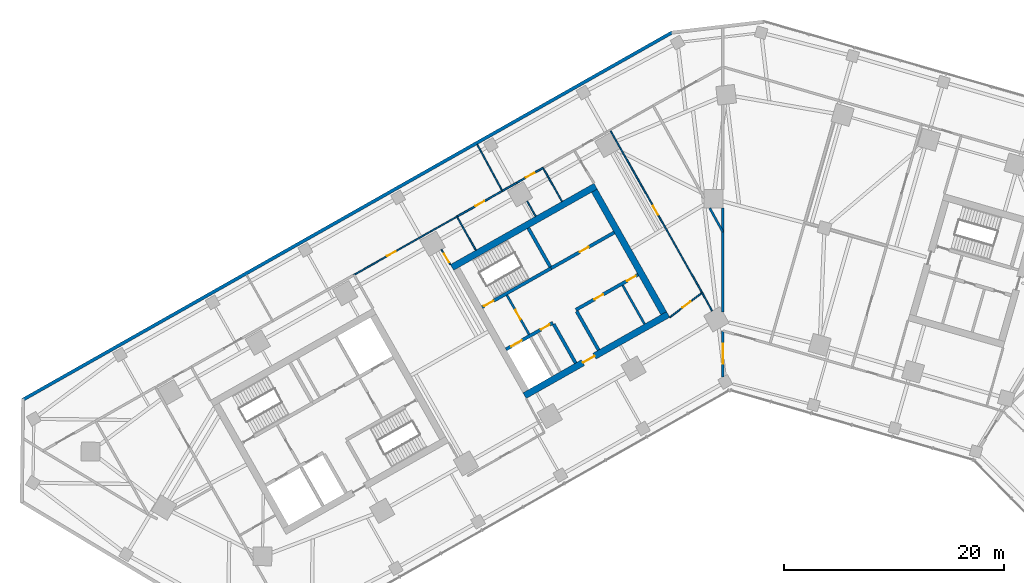
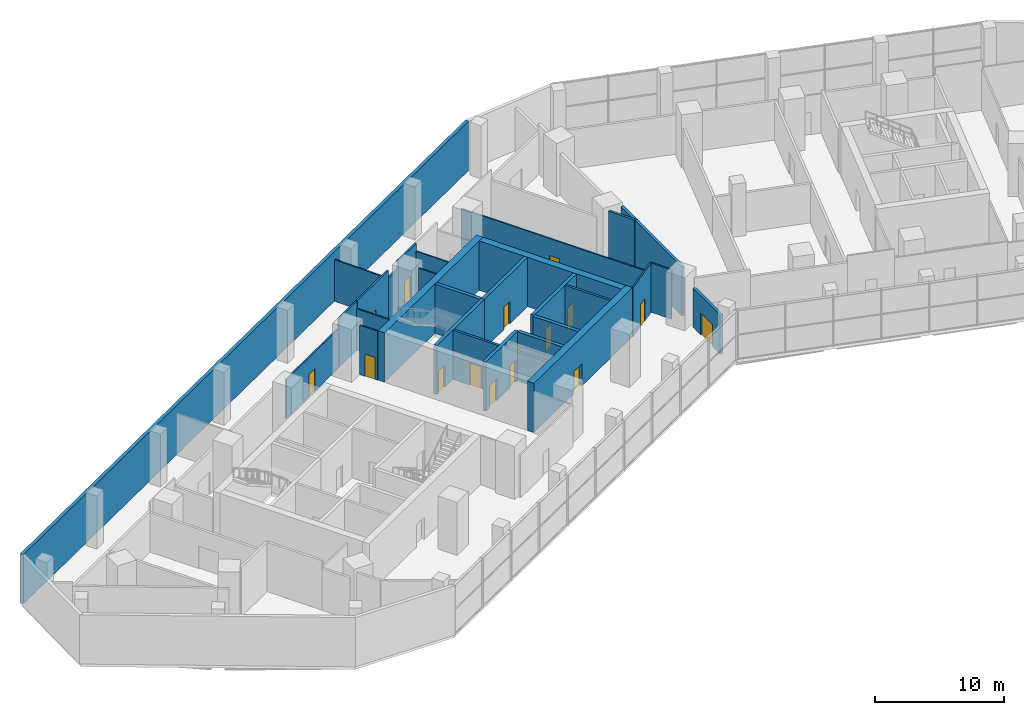
# One storey, part 12 of 18: 30 walls, 15 doors, 15 openings.
"""IFC4 building model written with IfcOpenShell, lengths in metres."""

from ifc_helpers import new_model, si_unit, direction, frame, frame_2d, origin, place, context, subcontext, project, spatial, rectangle, extrude, material, layer, layer_set, type_object, element, fill, save


model = new_model("IFC4")

# Units and contexts
model_context = context("Model", 3, precision=1e-05, world=origin(), true_north=direction((0.0, 1.0)))
body_context = subcontext(model_context, "Body", "Model", "MODEL_VIEW")
ifc_project = project(units=[si_unit("LENGTHUNIT", "METRE"), si_unit("AREAUNIT", "SQUARE_METRE"), si_unit("VOLUMEUNIT", "CUBIC_METRE"), si_unit("PLANEANGLEUNIT", "RADIAN"), si_unit("MASSUNIT", "GRAM", prefix="KILO")], contexts=[model_context])

# Site, building, storey
site_placement = place(None, origin())
site = spatial("IfcSite", under=ifc_project, at=site_placement, CompositionType="ELEMENT")
building_placement = place(site_placement, origin())
building = spatial("IfcBuilding", under=site, at=building_placement, Name="Binnacle Exchange Tower", CompositionType="ELEMENT")
storey_placement = place(building_placement, frame((0.0, 0.0, 6.5)))
storey = spatial("IfcBuildingStorey", under=building, at=storey_placement, Name="L01", CompositionType="ELEMENT", Elevation=6.5)

# Wall
ifc_material_1 = material(Name="Gypsum partition fire rated")
ifc_layer_1 = layer(ifc_material_1, 0.199951171875)
ifc_layer_set_1 = layer_set([ifc_layer_1], Name="Core partition 200")
wall_type_1 = type_object("IfcWallType", Name="Core partition 200", PredefinedType="PARTITIONING", material=ifc_layer_set_1)
wall_1_placement = place(storey_placement, frame((-9.11279296875, 52.14404296875, 0.0), z_axis=(0.0, 0.0, 1.0), x_axis=(0.492394910396, -0.870371904542, 0.0)))
element("IfcWall", 1, at=wall_1_placement, inside=storey, type_object=wall_type_1, Name="Core wall CRWC22", PredefinedType="PARTITIONING", context=body_context, shape_type="SweptSolid", body=[
    extrude(rectangle(XDim=4.0498046875, YDim=0.199951171875, at=frame_2d((2.02490234375, 0.0))), origin(), (0.0, 0.0, 1.0), 4.64990234375),
])

# Wall, openings, doors
ifc_material_2 = material(Name="Concrete C70/85", Category="concrete")
ifc_layer_2 = layer(ifc_material_2, 0.300048828125)
ifc_layer_set_2 = layer_set([ifc_layer_2], Name="Core wall - front 300")
wall_type_2 = type_object("IfcWallType", Name="Core wall - front 300", PredefinedType="SOLIDWALL", material=ifc_layer_set_2)
wall_2_placement = place(storey_placement, frame((-19.718017578125, 46.31640625, 0.0), z_axis=(0.0, 0.0, 1.0), x_axis=(0.870353963862, 0.492426621528, 0.0)))
wall_2 = element("IfcWall", 2, at=wall_2_placement, inside=storey, type_object=wall_type_2, Name="Core wall CRWC2", PredefinedType="SOLIDWALL", context=body_context, shape_type="SweptSolid", body=[
    extrude(rectangle(XDim=4.89990234375, YDim=0.300048828125, at=frame_2d((2.449951171875, 0.0))), origin(), (0.0, 0.0, 1.0), 4.64990234375),
])
opening_1_placement = place(wall_2_placement, frame((0.550048828125, 0.0, 0.0)))
opening_1 = element("IfcOpeningElement", 3, at=opening_1_placement, cuts=wall_2, Name="Opening LD14", PredefinedType="OPENING", context=body_context, shape_type="SweptSolid", body=[
    extrude(rectangle(XDim=1.10009765625, YDim=2.10009765625, at=frame_2d((0.550048828125, 1.050048828125))), frame((0.0, 0.159912109375, 0.0), z_axis=(0.0, -1.0, 0.0), x_axis=(1.0, 0.0, 0.0)), (0.0, 0.0, 1.0), 0.320068359375),
])
opening_2_placement = place(wall_2_placement, frame((3.64990234375, 0.0, 0.0)))
opening_2 = element("IfcOpeningElement", 4, at=opening_2_placement, cuts=wall_2, Name="Opening DC14", PredefinedType="OPENING", context=body_context, shape_type="SweptSolid", body=[
    extrude(rectangle(XDim=0.89990234375, YDim=2.10009765625, at=frame_2d((0.449951171875, 1.050048828125))), frame((0.0, 0.159912109375, 0.0), z_axis=(0.0, -1.0, 0.0), x_axis=(1.0, 0.0, 0.0)), (0.0, 0.0, 1.0), 0.320068359375),
])
ifc_material_3 = material(Name="Steel door leaf", Category="steel")
door_type_1 = type_object("IfcDoorType", Name="Fire door - lift landing 1100", OperationType="NOTDEFINED", PredefinedType="DOOR", material=ifc_material_3)
door_1_placement = place(opening_1_placement, origin())
door_1 = element("IfcDoor", 5, at=door_1_placement, inside=storey, type_object=door_type_1, Name="Landing door LD14 L01", OperationType="DOUBLE_DOOR_SLIDING", OverallHeight=2.10009765625, OverallWidth=1.10009765625, PredefinedType="DOOR", context=body_context, shape_type="SweptSolid", body=[
    extrude(rectangle(XDim=1.10009765625, YDim=2.10009765625, at=frame_2d((0.550048828125, 1.050048828125))), frame((0.0, 0.02490234375, 0.0), z_axis=(0.0, -1.0, 0.0), x_axis=(1.0, 0.0, 0.0)), (0.0, 0.0, 1.0), 0.050048828125),
])
fill(opening_1, door_1)
door_type_2 = type_object("IfcDoorType", Name="Fire door 900", OperationType="NOTDEFINED", PredefinedType="DOOR", material=ifc_material_3)
door_2_placement = place(opening_2_placement, frame((0.89990234375, 0.0, 0.0), z_axis=(0.0, 0.0, 1.0), x_axis=(-1.0, 0.0, 0.0)))
door_2 = element("IfcDoor", 6, at=door_2_placement, inside=storey, type_object=door_type_2, Name="Core room door IT STORE", OperationType="SINGLE_SWING_LEFT", OverallHeight=2.10009765625, OverallWidth=0.89990234375, PredefinedType="DOOR", context=body_context, shape_type="SweptSolid", body=[
    extrude(rectangle(XDim=0.89990234375, YDim=2.10009765625, at=frame_2d((0.449951171875, 1.050048828125))), frame((0.0, 0.02490234375, 0.0), z_axis=(0.0, -1.0, 0.0), x_axis=(1.0, 0.0, 0.0)), (0.0, 0.0, 1.0), 0.050048828125),
])
fill(opening_2, door_2)

wall_3_placement = place(storey_placement, frame((-13.364501953125, 49.910888671875, 0.0), z_axis=(0.0, 0.0, 1.0), x_axis=(0.870340995471, 0.49244954219, 0.0)))
wall_3 = element("IfcWall", 7, at=wall_3_placement, inside=storey, type_object=wall_type_2, Name="Core wall CRWC3", PredefinedType="SOLIDWALL", context=body_context, shape_type="SweptSolid", body=[
    extrude(rectangle(XDim=6.5, YDim=0.300048828125, at=frame_2d((3.25, 0.0))), origin(), (0.0, 0.0, 1.0), 4.64990234375),
])
opening_3_placement = place(wall_3_placement, frame((1.949951171875, 0.0, 0.0)))
opening_3 = element("IfcOpeningElement", 8, at=opening_3_placement, cuts=wall_3, Name="Opening DC18", PredefinedType="OPENING", context=body_context, shape_type="SweptSolid", body=[
    extrude(rectangle(XDim=0.89990234375, YDim=2.10009765625, at=frame_2d((0.449951171875, 1.050048828125))), frame((0.0, 0.159912109375, 0.0), z_axis=(0.0, -1.0, 0.0), x_axis=(1.0, 0.0, 0.0)), (0.0, 0.0, 1.0), 0.320068359375),
])
opening_4_placement = place(wall_3_placement, frame((5.35009765625, 0.0, 0.0)))
opening_4 = element("IfcOpeningElement", 9, at=opening_4_placement, cuts=wall_3, Name="Opening DC19", PredefinedType="OPENING", context=body_context, shape_type="SweptSolid", body=[
    extrude(rectangle(XDim=0.89990234375, YDim=2.10009765625, at=frame_2d((0.449951171875, 1.050048828125))), frame((0.0, 0.159912109375, 0.0), z_axis=(0.0, -1.0, 0.0), x_axis=(1.0, 0.0, 0.0)), (0.0, 0.0, 1.0), 0.320068359375),
])
door_3_placement = place(opening_3_placement, frame((0.89990234375, 0.0, 0.0), z_axis=(0.0, 0.0, 1.0), x_axis=(-1.0, 0.0, 0.0)))
door_3 = element("IfcDoor", 10, at=door_3_placement, inside=storey, type_object=door_type_2, Name="Core room door TELECOM RISER ROOM", OperationType="SINGLE_SWING_RIGHT", OverallHeight=2.10009765625, OverallWidth=0.89990234375, PredefinedType="DOOR", context=body_context, shape_type="SweptSolid", body=[
    extrude(rectangle(XDim=0.89990234375, YDim=2.10009765625, at=frame_2d((0.449951171875, 1.050048828125))), frame((0.0, 0.02490234375, 0.0), z_axis=(0.0, -1.0, 0.0), x_axis=(1.0, 0.0, 0.0)), (0.0, 0.0, 1.0), 0.050048828125),
])
fill(opening_3, door_3)
door_4_placement = place(opening_4_placement, frame((0.89990234375, 0.0, 0.0), z_axis=(0.0, 0.0, 1.0), x_axis=(-1.0, 0.0, 0.0)))
door_4 = element("IfcDoor", 11, at=door_4_placement, inside=storey, type_object=door_type_2, Name="Core room door FIBRE ENTRY ROOM", OperationType="SINGLE_SWING_LEFT", OverallHeight=2.10009765625, OverallWidth=0.89990234375, PredefinedType="DOOR", context=body_context, shape_type="SweptSolid", body=[
    extrude(rectangle(XDim=0.89990234375, YDim=2.10009765625, at=frame_2d((0.449951171875, 1.050048828125))), frame((0.0, 0.02490234375, 0.0), z_axis=(0.0, -1.0, 0.0), x_axis=(1.0, 0.0, 0.0)), (0.0, 0.0, 1.0), 0.050048828125),
])
fill(opening_4, door_4)

# Wall, opening, door
wall_4_placement = place(storey_placement, frame((-15.6181640625, 53.69140625, 0.0), z_axis=(0.0, 0.0, 1.0), x_axis=(0.870356769198, 0.492421663121, 0.0)))
wall_4 = element("IfcWall", 12, at=wall_4_placement, inside=storey, type_object=wall_type_2, Name="Core wall CRWC5", PredefinedType="SOLIDWALL", context=body_context, shape_type="SweptSolid", body=[
    extrude(rectangle(XDim=6.60009765625, YDim=0.300048828125, at=frame_2d((3.300048828125, 0.0))), origin(), (0.0, 0.0, 1.0), 4.64990234375),
])
opening_5_placement = place(wall_4_placement, frame((3.0, 0.0, 0.0)))
opening_5 = element("IfcOpeningElement", 13, at=opening_5_placement, cuts=wall_4, Name="Opening DC10", PredefinedType="OPENING", context=body_context, shape_type="SweptSolid", body=[
    extrude(rectangle(XDim=0.89990234375, YDim=2.10009765625, at=frame_2d((0.449951171875, 1.050048828125))), frame((0.0, 0.159912109375, 0.0), z_axis=(0.0, -1.0, 0.0), x_axis=(1.0, 0.0, 0.0)), (0.0, 0.0, 1.0), 0.320068359375),
])
door_5_placement = place(opening_5_placement, origin())
door_5 = element("IfcDoor", 14, at=door_5_placement, inside=storey, type_object=door_type_2, Name="Core room door SPARES STORE", OperationType="SINGLE_SWING_RIGHT", OverallHeight=2.10009765625, OverallWidth=0.89990234375, PredefinedType="DOOR", context=body_context, shape_type="SweptSolid", body=[
    extrude(rectangle(XDim=0.89990234375, YDim=2.10009765625, at=frame_2d((0.449951171875, 1.050048828125))), frame((0.0, 0.02490234375, 0.0), z_axis=(0.0, -1.0, 0.0), x_axis=(1.0, 0.0, 0.0)), (0.0, 0.0, 1.0), 0.050048828125),
])
fill(opening_5, door_5)

# Walls
for number, where, z_axis, x_axis, name in (
    (15, (-15.37939453125, 48.5986328125, 0.0), (0.0, 0.0, 1.0), (0.492394910396, -0.870371904542, 0.0), "Core wall CRWC13"),
    (16, (-13.29052734375, 49.780517578125, 0.0), (0.0, 0.0, 1.0), (0.492394910396, -0.870371904542, 0.0), "Core wall CRWC15"),
):
    element("IfcWall", number, at=place(storey_placement, frame(where, z_axis=z_axis, x_axis=x_axis)), inside=storey, type_object=wall_type_2, Name=name, PredefinedType="SOLIDWALL", context=body_context, shape_type="SweptSolid", body=[
        extrude(rectangle(XDim=4.0498046875, YDim=0.300048828125, at=frame_2d((2.02490234375, 0.0))), origin(), (0.0, 0.0, 1.0), 4.64990234375),
    ])

# Wall, opening, door
ifc_layer_3 = layer(ifc_material_2, 0.60009765625)
ifc_layer_set_3 = layer_set([ifc_layer_3], Name="Core wall - outer 600")
wall_type_3 = type_object("IfcWallType", Name="Core wall - outer 600", PredefinedType="SOLIDWALL", material=ifc_layer_set_3)
wall_5_placement = place(storey_placement, frame((-18.0244140625, 42.104248046875, 0.0), z_axis=(0.0, 0.0, 1.0), x_axis=(0.870360574057, 0.492414937962, 0.0)))
wall_5 = element("IfcWall", 17, at=wall_5_placement, inside=storey, type_object=wall_type_3, Name="Core wall CRWC1", PredefinedType="SOLIDWALL", context=body_context, shape_type="SweptSolid", body=[
    extrude(rectangle(XDim=15.0, YDim=0.60009765625, at=frame_2d((7.5, 0.0))), origin(), (0.0, 0.0, 1.0), 4.64990234375),
])
opening_6_placement = place(wall_5_placement, frame((6.10009765625, 0.0, 0.0)))
opening_6 = element("IfcOpeningElement", 18, at=opening_6_placement, cuts=wall_5, Name="Opening DC7", PredefinedType="OPENING", context=body_context, shape_type="SweptSolid", body=[
    extrude(rectangle(XDim=1.199951171875, YDim=2.10009765625, at=frame_2d((0.60009765625, 1.050048828125))), frame((0.0, 0.31005859375, 0.0), z_axis=(0.0, -1.0, 0.0), x_axis=(1.0, 0.0, 0.0)), (0.0, 0.0, 1.0), 0.6201171875),
])
door_type_3 = type_object("IfcDoorType", Name="Fire door 1200", OperationType="NOTDEFINED", PredefinedType="DOOR", material=ifc_material_3)
door_6_placement = place(opening_6_placement, frame((1.199951171875, 0.0, 0.0), z_axis=(0.0, 0.0, 1.0), x_axis=(-1.0, 0.0, 0.0)))
door_6 = element("IfcDoor", 19, at=door_6_placement, inside=storey, type_object=door_type_3, Name="Lift lobby entrance door core C", OperationType="SINGLE_SWING_RIGHT", OverallHeight=2.10009765625, OverallWidth=1.199951171875, PredefinedType="DOOR", context=body_context, shape_type="SweptSolid", body=[
    extrude(rectangle(XDim=1.199951171875, YDim=2.10009765625, at=frame_2d((0.60009765625, 1.050048828125))), frame((0.0, 0.02490234375, 0.0), z_axis=(0.0, -1.0, 0.0), x_axis=(1.0, 0.0, 0.0)), (0.0, 0.0, 1.0), 0.050048828125),
])
fill(opening_6, door_6)

# Walls
wall_6_placement = place(storey_placement, frame((-24.622802734375, 53.76708984375, 0.0), z_axis=(0.0, 0.0, 1.0), x_axis=(0.870356627484, 0.492421913601, 0.0)))
element("IfcWall", 20, at=wall_6_placement, inside=storey, type_object=wall_type_3, Name="Core wall CRWC6", PredefinedType="SOLIDWALL", context=body_context, shape_type="SweptSolid", body=[
    extrude(rectangle(XDim=14.999755859375, YDim=0.60009765625, at=frame_2d((7.5, 0.0))), origin(), (0.0, 0.0, 1.0), 4.64990234375),
])
wall_7_placement = place(storey_placement, frame((-11.680908203125, 60.744384765625, 0.0), z_axis=(0.0, 0.0, 1.0), x_axis=(0.492426772896, -0.870353878221, 0.0)))
element("IfcWall", 21, at=wall_7_placement, inside=storey, type_object=wall_type_3, Name="Core wall CRWC24", PredefinedType="SOLIDWALL", context=body_context, shape_type="SweptSolid", body=[
    extrude(rectangle(XDim=12.7998046875, YDim=0.60009765625, at=frame_2d((6.39990234375, 0.0))), origin(), (0.0, 0.0, 1.0), 4.64990234375),
])

# Wall, opening, door
ifc_layer_4 = layer(ifc_material_2, 0.300048828125)
ifc_layer_set_4 = layer_set([ifc_layer_4], Name="Core wall - stair 300")
wall_type_4 = type_object("IfcWallType", Name="Core wall - stair 300", PredefinedType="SOLIDWALL", material=ifc_layer_set_4)
wall_8_placement = place(storey_placement, frame((-21.884765625, 50.14599609375, 0.0), z_axis=(0.0, 0.0, 1.0), x_axis=(0.870359411463, 0.492416992881, 0.0)))
wall_8 = element("IfcWall", 22, at=wall_8_placement, inside=storey, type_object=wall_type_4, Name="Core wall CRWC4", PredefinedType="SOLIDWALL", context=body_context, shape_type="SweptSolid", body=[
    extrude(rectangle(XDim=7.199951171875, YDim=0.300048828125, at=frame_2d((3.60009765625, 0.0))), origin(), (0.0, 0.0, 1.0), 4.64990234375),
])
opening_7_placement = place(wall_8_placement, frame((0.199951171875, 0.0, 0.0)))
opening_7 = element("IfcOpeningElement", 23, at=opening_7_placement, cuts=wall_8, Name="Opening DC1", PredefinedType="OPENING", context=body_context, shape_type="SweptSolid", body=[
    extrude(rectangle(XDim=1.0, YDim=2.10009765625, at=frame_2d((0.5, 1.050048828125))), frame((0.0, 0.159912109375, 0.0), z_axis=(0.0, -1.0, 0.0), x_axis=(1.0, 0.0, 0.0)), (0.0, 0.0, 1.0), 0.320068359375),
])
door_type_4 = type_object("IfcDoorType", Name="Fire door 1000", OperationType="NOTDEFINED", PredefinedType="DOOR", material=ifc_material_3)
door_7_placement = place(opening_7_placement, origin())
door_7 = element("IfcDoor", 24, at=door_7_placement, inside=storey, type_object=door_type_4, Name="Stair door ST-C1", OperationType="SINGLE_SWING_LEFT", OverallHeight=2.10009765625, OverallWidth=1.0, PredefinedType="DOOR", context=body_context, shape_type="SweptSolid", body=[
    extrude(rectangle(XDim=1.0, YDim=2.10009765625, at=frame_2d((0.5, 1.050048828125))), frame((0.0, 0.02490234375, 0.0), z_axis=(0.0, -1.0, 0.0), x_axis=(1.0, 0.0, 0.0)), (0.0, 0.0, 1.0), 0.050048828125),
])
fill(opening_7, door_7)

# Walls
wall_9_placement = place(storey_placement, frame((-17.686279296875, 57.3466796875, 0.0), z_axis=(0.0, 0.0, 1.0), x_axis=(0.492420746998, -0.870357287513, 0.0)))
element("IfcWall", 25, at=wall_9_placement, inside=storey, type_object=wall_type_4, Name="Core wall CRWC14", PredefinedType="SOLIDWALL", context=body_context, shape_type="SweptSolid", body=[
    extrude(rectangle(XDim=4.049560546875, YDim=0.300048828125, at=frame_2d((2.02490234375, 0.0))), origin(), (0.0, 0.0, 1.0), 4.64990234375),
])
ifc_material_4 = material(Name="Bronze aluminium louvre", Category="aluminium")
ifc_layer_5 = layer(ifc_material_4, 0.300048828125)
ifc_layer_set_5 = layer_set([ifc_layer_5], Name="External wall - podium louvre 300")
wall_type_5 = type_object("IfcWallType", Name="External wall - podium louvre 300", PredefinedType="STANDARD", material=ifc_layer_set_5)
wall_10_placement = place(storey_placement, frame((-63.706787109375, 41.701171875, 0.0), z_axis=(0.0, 0.0, 1.0), x_axis=(0.870355510268, 0.492423888277, 0.0)))
element("IfcWall", 26, at=wall_10_placement, inside=storey, type_object=wall_type_5, Name="External wall EW-P02 L01", PredefinedType="STANDARD", context=body_context, shape_type="SweptSolid", body=[
    extrude(rectangle(XDim=67.9033203125, YDim=0.300048828125, at=frame_2d((33.95166015625, 0.0))), origin(), (0.0, 0.0, 1.0), 4.64990234375),
])
ifc_material_5 = material(Name="Masonry block wall", Category="masonry")
ifc_layer_6 = layer(ifc_material_5, 0.199951171875)
ifc_layer_set_6 = layer_set([ifc_layer_6], Name="Fire wall - block 200")
wall_type_6 = type_object("IfcWallType", Name="Fire wall - block 200", PredefinedType="PARTITIONING", material=ifc_layer_set_6)
wall_11_placement = place(storey_placement, frame((-1.18701171875, 59.14990234375, 0.0), z_axis=(0.0, 0.0, 1.0), x_axis=(0.483345381597, -0.875429747089, 0.0)))
element("IfcWall", 27, at=wall_11_placement, inside=storey, type_object=wall_type_6, Name="Partition W43", PredefinedType="PARTITIONING", context=body_context, shape_type="SweptSolid", body=[
    extrude(rectangle(XDim=2.455810546875, YDim=0.199951171875, at=frame_2d((1.22802734375, 0.0))), origin(), (0.0, 0.0, 1.0), 4.64990234375),
])

# Wall, opening, door
ifc_material_6 = material(Name="Concrete fire wall C30/37", Category="concrete")
ifc_layer_7 = layer(ifc_material_6, 0.25)
ifc_layer_set_7 = layer_set([ifc_layer_7], Name="Fire wall - compartment 250")
wall_type_7 = type_object("IfcWallType", Name="Fire wall - compartment 250", PredefinedType="PARTITIONING", material=ifc_layer_set_7)
wall_12_placement = place(storey_placement, frame((0.0, 43.805908203125, 0.0), z_axis=(0.0, 0.0, 1.0), x_axis=(0.0, 1.0, 0.0)))
wall_12 = element("IfcWall", 28, at=wall_12_placement, inside=storey, type_object=wall_type_7, Name="Fire Wall W44", PredefinedType="PARTITIONING", context=body_context, shape_type="SweptSolid", body=[
    extrude(rectangle(XDim=4.194091796875, YDim=0.25, at=frame_2d((2.09716796875, 0.0))), origin(), (0.0, 0.0, 1.0), 3.7119140625),
])
opening_8_placement = place(wall_12_placement, frame((1.199951171875, 0.0, 0.0)))
opening_8 = element("IfcOpeningElement", 29, at=opening_8_placement, cuts=wall_12, Name="Opening DL01-32", PredefinedType="OPENING", context=body_context, shape_type="SweptSolid", body=[
    extrude(rectangle(XDim=1.800048828125, YDim=2.10009765625, at=frame_2d((0.89990234375, 1.050048828125))), frame((0.0, 0.135009765625, 0.0), z_axis=(0.0, -1.0, 0.0), x_axis=(1.0, 0.0, 0.0)), (0.0, 0.0, 1.0), 0.27001953125),
])
door_type_5 = type_object("IfcDoorType", Name="Fire door 1800", OperationType="NOTDEFINED", PredefinedType="DOOR", material=ifc_material_3)
door_8_placement = place(opening_8_placement, origin())
door_8 = element("IfcDoor", 30, at=door_8_placement, inside=storey, type_object=door_type_5, Name="Door DL01-32", OperationType="DOUBLE_DOOR_SINGLE_SWING", OverallHeight=2.10009765625, OverallWidth=1.800048828125, PredefinedType="DOOR", context=body_context, shape_type="SweptSolid", body=[
    extrude(rectangle(XDim=1.800048828125, YDim=2.10009765625, at=frame_2d((0.89990234375, 1.050048828125))), frame((0.0, 0.02490234375, 0.0), z_axis=(0.0, -1.0, 0.0), x_axis=(1.0, 0.0, 0.0)), (0.0, 0.0, 1.0), 0.050048828125),
])
fill(opening_8, door_8)

# Walls
wall_13_placement = place(storey_placement, frame((0.0, 49.72607421875, 0.0), z_axis=(0.0, 0.0, 1.0), x_axis=(0.0, 1.0, 0.0)))
element("IfcWall", 31, at=wall_13_placement, inside=storey, type_object=wall_type_7, Name="Fire Wall W46", PredefinedType="PARTITIONING", context=body_context, shape_type="SweptSolid", body=[
    extrude(rectangle(XDim=7.27392578125, YDim=0.25, at=frame_2d((3.636962890625, 0.0))), origin(), (0.0, 0.0, 1.0), 4.64990234375),
])
wall_14_placement = place(storey_placement, frame((0.0, 57.0, 0.0), z_axis=(0.0, 0.0, 1.0), x_axis=(0.0, 1.0, 0.0)))
element("IfcWall", 32, at=wall_14_placement, inside=storey, type_object=wall_type_7, Name="Fire Wall W47", PredefinedType="PARTITIONING", context=body_context, shape_type="SweptSolid", body=[
    extrude(rectangle(XDim=2.14990234375, YDim=0.25, at=frame_2d((1.074951171875, 0.0))), origin(), (0.0, 0.0, 1.0), 4.64990234375),
])

# Wall, opening, door
ifc_layer_8 = layer(ifc_material_5, 0.199951171875)
ifc_layer_set_8 = layer_set([ifc_layer_8], Name="Fire wall - vestibule 200")
wall_type_8 = type_object("IfcWallType", Name="Fire wall - vestibule 200", PredefinedType="PARTITIONING", material=ifc_layer_set_8)
wall_15_placement = place(storey_placement, frame((-19.635009765625, 51.246337890625, 0.0), z_axis=(0.0, 0.0, 1.0), x_axis=(0.492408451753, -0.87036424366, 0.0)))
wall_15 = element("IfcWall", 33, at=wall_15_placement, inside=storey, type_object=wall_type_8, Name="Core wall CRWC10", PredefinedType="PARTITIONING", context=body_context, shape_type="SweptSolid", body=[
    extrude(rectangle(XDim=4.099853515625, YDim=0.199951171875, at=frame_2d((2.0498046875, 0.0))), origin(), (0.0, 0.0, 1.0), 4.64990234375),
])
opening_9_placement = place(wall_15_placement, frame((1.550048828125, 0.0, 0.0)))
opening_9 = element("IfcOpeningElement", 34, at=opening_9_placement, cuts=wall_15, Name="Opening DC3", PredefinedType="OPENING", context=body_context, shape_type="SweptSolid", body=[
    extrude(rectangle(XDim=1.0, YDim=2.10009765625, at=frame_2d((0.5, 1.050048828125))), frame((0.0, 0.10986328125, 0.0), z_axis=(0.0, -1.0, 0.0), x_axis=(1.0, 0.0, 0.0)), (0.0, 0.0, 1.0), 0.219970703125),
])
door_9_placement = place(opening_9_placement, frame((1.0, 0.0, 0.0), z_axis=(0.0, 0.0, 1.0), x_axis=(-1.0, 0.0, 0.0)))
door_9 = element("IfcDoor", 35, at=door_9_placement, inside=storey, type_object=door_type_4, Name="Vestibule door VEST-W", OperationType="SINGLE_SWING_RIGHT", OverallHeight=2.10009765625, OverallWidth=1.0, PredefinedType="DOOR", context=body_context, shape_type="SweptSolid", body=[
    extrude(rectangle(XDim=1.0, YDim=2.10009765625, at=frame_2d((0.5, 1.050048828125))), frame((0.0, 0.02490234375, 0.0), z_axis=(0.0, -1.0, 0.0), x_axis=(1.0, 0.0, 0.0)), (0.0, 0.0, 1.0), 0.050048828125),
])
fill(opening_9, door_9)

ifc_layer_9 = layer(ifc_material_1, 0.14990234375)
ifc_layer_set_9 = layer_set([ifc_layer_9], Name="Fire-rated partition 150")
wall_type_9 = type_object("IfcWallType", Name="Fire-rated partition 150", PredefinedType="PARTITIONING", material=ifc_layer_set_9)
wall_16_placement = place(storey_placement, frame((-24.179931640625, 58.384033203125, 0.0), z_axis=(0.0, 0.0, 1.0), x_axis=(0.870360772617, 0.492414587, 0.0)))
wall_16 = element("IfcWall", 36, at=wall_16_placement, inside=storey, type_object=wall_type_9, Name="Partition W26", PredefinedType="PARTITIONING", context=body_context, shape_type="SweptSolid", body=[
    extrude(rectangle(XDim=4.749755859375, YDim=0.14990234375, at=frame_2d((2.375, 0.0))), origin(), (0.0, 0.0, 1.0), 4.64990234375),
])
opening_10_placement = place(wall_16_placement, frame((1.949951171875, 0.0, 0.0)))
opening_10 = element("IfcOpeningElement", 37, at=opening_10_placement, cuts=wall_16, Name="Opening DL01-14", PredefinedType="OPENING", context=body_context, shape_type="SweptSolid", body=[
    extrude(rectangle(XDim=0.89990234375, YDim=2.10009765625, at=frame_2d((0.449951171875, 1.050048828125))), frame((0.0, 0.0849609375, 0.0), z_axis=(0.0, -1.0, 0.0), x_axis=(1.0, 0.0, 0.0)), (0.0, 0.0, 1.0), 0.169921875),
])
door_10_placement = place(opening_10_placement, frame((0.89990234375, 0.0, 0.0), z_axis=(0.0, 0.0, 1.0), x_axis=(-1.0, 0.0, 0.0)))
door_10 = element("IfcDoor", 38, at=door_10_placement, inside=storey, type_object=door_type_2, Name="Door DL01-14", OperationType="SINGLE_SWING_LEFT", OverallHeight=2.10009765625, OverallWidth=0.89990234375, PredefinedType="DOOR", context=body_context, shape_type="SweptSolid", body=[
    extrude(rectangle(XDim=0.89990234375, YDim=2.10009765625, at=frame_2d((0.449951171875, 1.050048828125))), frame((0.0, 0.02490234375, 0.0), z_axis=(0.0, -1.0, 0.0), x_axis=(1.0, 0.0, 0.0)), (0.0, 0.0, 1.0), 0.050048828125),
])
fill(opening_10, door_10)

# Wall
wall_17_placement = place(storey_placement, frame((-20.0458984375, 60.722900390625, 0.0), z_axis=(0.0, 0.0, 1.0), x_axis=(0.870308175411, 0.492507542899, 0.0)))
element("IfcWall", 39, at=wall_17_placement, inside=storey, type_object=wall_type_9, Name="Partition W29", PredefinedType="PARTITIONING", context=body_context, shape_type="SweptSolid", body=[
    extrude(rectangle(XDim=1.50048828125, YDim=0.14990234375, at=frame_2d((0.750244140625, 0.0))), origin(), (0.0, 0.0, 1.0), 3.929931640625),
])

# Wall, opening, door
wall_18_placement = place(storey_placement, frame((-18.739990234375, 61.4619140625, 0.0), z_axis=(0.0, 0.0, 1.0), x_axis=(0.870430549821, 0.492291232848, 0.0)))
wall_18 = element("IfcWall", 40, at=wall_18_placement, inside=storey, type_object=wall_type_9, Name="Partition W30", PredefinedType="PARTITIONING", context=body_context, shape_type="SweptSolid", body=[
    extrude(rectangle(XDim=2.75048828125, YDim=0.14990234375, at=frame_2d((1.375244140625, 0.0))), origin(), (0.0, 0.0, 1.0), 4.64990234375),
])
opening_11_placement = place(wall_18_placement, frame((0.949951171875, 0.0, 0.0)))
opening_11 = element("IfcOpeningElement", 41, at=opening_11_placement, cuts=wall_18, Name="Opening DL01-15", PredefinedType="OPENING", context=body_context, shape_type="SweptSolid", body=[
    extrude(rectangle(XDim=0.89990234375, YDim=2.10009765625, at=frame_2d((0.449951171875, 1.050048828125))), frame((0.0, 0.0849609375, 0.0), z_axis=(0.0, -1.0, 0.0), x_axis=(1.0, 0.0, 0.0)), (0.0, 0.0, 1.0), 0.169921875),
])
door_11_placement = place(opening_11_placement, frame((0.89990234375, 0.0, 0.0), z_axis=(0.0, 0.0, 1.0), x_axis=(-1.0, 0.0, 0.0)))
door_11 = element("IfcDoor", 42, at=door_11_placement, inside=storey, type_object=door_type_2, Name="Door DL01-15", OperationType="SINGLE_SWING_LEFT", OverallHeight=2.10009765625, OverallWidth=0.89990234375, PredefinedType="DOOR", context=body_context, shape_type="SweptSolid", body=[
    extrude(rectangle(XDim=0.89990234375, YDim=2.10009765625, at=frame_2d((0.449951171875, 1.050048828125))), frame((0.0, 0.02490234375, 0.0), z_axis=(0.0, -1.0, 0.0), x_axis=(1.0, 0.0, 0.0)), (0.0, 0.0, 1.0), 0.050048828125),
])
fill(opening_11, door_11)

ifc_material_7 = material(Name="Gypsum partition")
ifc_layer_10 = layer(ifc_material_7, 0.125)
ifc_layer_set_10 = layer_set([ifc_layer_10], Name="Partition 125")
wall_type_10 = type_object("IfcWallType", Name="Partition 125", PredefinedType="PARTITIONING", material=ifc_layer_set_10)
wall_19_placement = place(storey_placement, frame((-33.535888671875, 53.090087890625, 0.0), z_axis=(0.0, 0.0, 1.0), x_axis=(0.870327439455, 0.492473499928, 0.0)))
wall_19 = element("IfcWall", 43, at=wall_19_placement, inside=storey, type_object=wall_type_10, Name="Partition W21", PredefinedType="PARTITIONING", context=body_context, shape_type="SweptSolid", body=[
    extrude(rectangle(XDim=8.000244140625, YDim=0.125, at=frame_2d((4.0, 0.0))), origin(), (0.0, 0.0, 1.0), 3.7119140625),
])
opening_12_placement = place(wall_19_placement, frame((3.449951171875, 0.0, 0.0)))
opening_12 = element("IfcOpeningElement", 44, at=opening_12_placement, cuts=wall_19, Name="Opening DL01-05", PredefinedType="OPENING", context=body_context, shape_type="SweptSolid", body=[
    extrude(rectangle(XDim=0.89990234375, YDim=2.10009765625, at=frame_2d((0.449951171875, 1.050048828125))), frame((0.0, 0.072509765625, 0.0), z_axis=(0.0, -1.0, 0.0), x_axis=(1.0, 0.0, 0.0)), (0.0, 0.0, 1.0), 0.14501953125),
])
ifc_material_8 = material(Name="Timber door leaf", Category="wood")
door_type_6 = type_object("IfcDoorType", Name="Door 900", OperationType="NOTDEFINED", PredefinedType="DOOR", material=ifc_material_8)
door_12_placement = place(opening_12_placement, origin())
door_12 = element("IfcDoor", 45, at=door_12_placement, inside=storey, type_object=door_type_6, Name="Door DL01-05", OperationType="SINGLE_SWING_LEFT", OverallHeight=2.10009765625, OverallWidth=0.89990234375, PredefinedType="DOOR", context=body_context, shape_type="SweptSolid", body=[
    extrude(rectangle(XDim=0.89990234375, YDim=2.10009765625, at=frame_2d((0.449951171875, 1.050048828125))), frame((0.0, 0.02490234375, 0.0), z_axis=(0.0, -1.0, 0.0), x_axis=(1.0, 0.0, 0.0)), (0.0, 0.0, 1.0), 0.050048828125),
])
fill(opening_12, door_12)

# Wall
wall_20_placement = place(storey_placement, frame((-26.572998046875, 57.030029296875, 0.0), z_axis=(0.0, 0.0, 1.0), x_axis=(0.870344460795, 0.492443417626, 0.0)))
element("IfcWall", 46, at=wall_20_placement, inside=storey, type_object=wall_type_10, Name="Partition W22", PredefinedType="PARTITIONING", context=body_context, shape_type="SweptSolid", body=[
    extrude(rectangle(XDim=2.74951171875, YDim=0.125, at=frame_2d((1.374755859375, 0.0))), origin(), (0.0, 0.0, 1.0), 4.64990234375),
])

# Wall, opening, door
wall_21_placement = place(storey_placement, frame((-25.5869140625, 55.386962890625, 0.0), z_axis=(0.0, 0.0, 1.0), x_axis=(0.514767546849, -0.857329792268, 0.0)))
wall_21 = element("IfcWall", 47, at=wall_21_placement, inside=storey, type_object=wall_type_10, Name="Partition W23", PredefinedType="PARTITIONING", context=body_context, shape_type="SweptSolid", body=[
    extrude(rectangle(XDim=1.5849609375, YDim=0.125, at=frame_2d((0.79248046875, 0.0))), origin(), (0.0, 0.0, 1.0), 4.64990234375),
])
opening_13_placement = place(wall_21_placement, frame((0.449951171875, 0.0, 0.0)))
opening_13 = element("IfcOpeningElement", 48, at=opening_13_placement, cuts=wall_21, Name="Opening DL01-13", PredefinedType="OPENING", context=body_context, shape_type="SweptSolid", body=[
    extrude(rectangle(XDim=0.89990234375, YDim=2.10009765625, at=frame_2d((0.449951171875, 1.050048828125))), frame((0.0, 0.072509765625, 0.0), z_axis=(0.0, -1.0, 0.0), x_axis=(1.0, 0.0, 0.0)), (0.0, 0.0, 1.0), 0.14501953125),
])
door_13_placement = place(opening_13_placement, origin())
door_13 = element("IfcDoor", 49, at=door_13_placement, inside=storey, type_object=door_type_6, Name="Door DL01-13", OperationType="SINGLE_SWING_RIGHT", OverallHeight=2.10009765625, OverallWidth=0.89990234375, PredefinedType="DOOR", context=body_context, shape_type="SweptSolid", body=[
    extrude(rectangle(XDim=0.89990234375, YDim=2.10009765625, at=frame_2d((0.449951171875, 1.050048828125))), frame((0.0, 0.02490234375, 0.0), z_axis=(0.0, -1.0, 0.0), x_axis=(1.0, 0.0, 0.0)), (0.0, 0.0, 1.0), 0.050048828125),
])
fill(opening_13, door_13)

# Walls
wall_22_placement = place(storey_placement, frame((-24.179931640625, 58.384033203125, 0.0), z_axis=(0.0, 0.0, 1.0), x_axis=(0.492521469645, -0.870300294116, 0.0)))
element("IfcWall", 50, at=wall_22_placement, inside=storey, type_object=wall_type_10, Name="Partition W25", PredefinedType="PARTITIONING", context=body_context, shape_type="SweptSolid", body=[
    extrude(rectangle(XDim=3.5, YDim=0.125, at=frame_2d((1.75, 0.0))), origin(), (0.0, 0.0, 1.0), 3.929931640625),
])
wall_23_placement = place(storey_placement, frame((-22.330078125, 64.93896484375, 0.0), z_axis=(0.0, 0.0, 1.0), x_axis=(0.476360236723, -0.879250206067, 0.0)))
element("IfcWall", 51, at=wall_23_placement, inside=storey, type_object=wall_type_10, Name="Partition W28", PredefinedType="PARTITIONING", context=body_context, shape_type="SweptSolid", body=[
    extrude(rectangle(XDim=4.795166015625, YDim=0.125, at=frame_2d((2.3974609375, 0.0))), origin(), (0.0, 0.0, 1.0), 3.929931640625),
])
wall_24_placement = place(storey_placement, frame((-17.797119140625, 59.7939453125, 0.0), z_axis=(0.0, 0.0, 1.0), x_axis=(0.492366981934, -0.870387703901, 0.0)))
element("IfcWall", 52, at=wall_24_placement, inside=storey, type_object=wall_type_10, Name="Partition W32", PredefinedType="PARTITIONING", context=body_context, shape_type="SweptSolid", body=[
    extrude(rectangle(XDim=1.584228515625, YDim=0.125, at=frame_2d((0.7919921875, 0.0))), origin(), (0.0, 0.0, 1.0), 4.64990234375),
])
wall_25_placement = place(storey_placement, frame((-16.345947265625, 62.81591796875, 0.0), z_axis=(0.0, 0.0, 1.0), x_axis=(0.492220429283, -0.870470590541, 0.0)))
element("IfcWall", 53, at=wall_25_placement, inside=storey, type_object=wall_type_10, Name="Partition W33", PredefinedType="PARTITIONING", context=body_context, shape_type="SweptSolid", body=[
    extrude(rectangle(XDim=3.500244140625, YDim=0.125, at=frame_2d((1.75, 0.0))), origin(), (0.0, 0.0, 1.0), 3.929931640625),
])

# Wall, opening, door
wall_26_placement = place(storey_placement, frame((-10.25390625, 66.262939453125, 0.0), z_axis=(0.0, 0.0, 1.0), x_axis=(0.492411664329, -0.870362426138, 0.0)))
wall_26 = element("IfcWall", 54, at=wall_26_placement, inside=storey, type_object=wall_type_10, Name="Partition W38", PredefinedType="PARTITIONING", context=body_context, shape_type="SweptSolid", body=[
    extrude(rectangle(XDim=16.999755859375, YDim=0.125, at=frame_2d((8.5, 0.0))), origin(), (0.0, 0.0, 1.0), 3.7119140625),
])
opening_14_placement = place(wall_26_placement, frame((7.949951171875, 0.0, 0.0)))
opening_14 = element("IfcOpeningElement", 55, at=opening_14_placement, cuts=wall_26, Name="Opening DL01-10", PredefinedType="OPENING", context=body_context, shape_type="SweptSolid", body=[
    extrude(rectangle(XDim=0.89990234375, YDim=2.10009765625, at=frame_2d((0.449951171875, 1.050048828125))), frame((0.0, 0.072509765625, 0.0), z_axis=(0.0, -1.0, 0.0), x_axis=(1.0, 0.0, 0.0)), (0.0, 0.0, 1.0), 0.14501953125),
])
door_14_placement = place(opening_14_placement, origin())
door_14 = element("IfcDoor", 56, at=door_14_placement, inside=storey, type_object=door_type_6, Name="Door DL01-10", OperationType="SINGLE_SWING_LEFT", OverallHeight=2.10009765625, OverallWidth=0.89990234375, PredefinedType="DOOR", context=body_context, shape_type="SweptSolid", body=[
    extrude(rectangle(XDim=0.89990234375, YDim=2.10009765625, at=frame_2d((0.449951171875, 1.050048828125))), frame((0.0, 0.02490234375, 0.0), z_axis=(0.0, -1.0, 0.0), x_axis=(1.0, 0.0, 0.0)), (0.0, 0.0, 1.0), 0.050048828125),
])
fill(opening_14, door_14)

wall_27_placement = place(storey_placement, frame((-4.821044921875, 49.22998046875, 0.0), z_axis=(0.0, 0.0, 1.0), x_axis=(0.795615322848, 0.605802160816, 0.0)))
wall_27 = element("IfcWall", 57, at=wall_27_placement, inside=storey, type_object=wall_type_10, Name="Partition W41", PredefinedType="PARTITIONING", context=body_context, shape_type="SweptSolid", body=[
    extrude(rectangle(XDim=3.692626953125, YDim=0.125, at=frame_2d((1.84619140625, 0.0))), origin(), (0.0, 0.0, 1.0), 4.64990234375),
])
opening_15_placement = place(wall_27_placement, frame((1.449951171875, 0.0, 0.0)))
opening_15 = element("IfcOpeningElement", 58, at=opening_15_placement, cuts=wall_27, Name="Opening DL01-03", PredefinedType="OPENING", context=body_context, shape_type="SweptSolid", body=[
    extrude(rectangle(XDim=0.89990234375, YDim=2.10009765625, at=frame_2d((0.449951171875, 1.050048828125))), frame((0.0, 0.072509765625, 0.0), z_axis=(0.0, -1.0, 0.0), x_axis=(1.0, 0.0, 0.0)), (0.0, 0.0, 1.0), 0.14501953125),
])
door_15_placement = place(opening_15_placement, origin())
door_15 = element("IfcDoor", 59, at=door_15_placement, inside=storey, type_object=door_type_6, Name="Door DL01-03", OperationType="SINGLE_SWING_RIGHT", OverallHeight=2.10009765625, OverallWidth=0.89990234375, PredefinedType="DOOR", context=body_context, shape_type="SweptSolid", body=[
    extrude(rectangle(XDim=0.89990234375, YDim=2.10009765625, at=frame_2d((0.449951171875, 1.050048828125))), frame((0.0, 0.02490234375, 0.0), z_axis=(0.0, -1.0, 0.0), x_axis=(1.0, 0.0, 0.0)), (0.0, 0.0, 1.0), 0.050048828125),
])
fill(opening_15, door_15)

# Wall
wall_28_placement = place(storey_placement, frame((-1.883056640625, 51.467041015625, 0.0), z_axis=(0.0, 0.0, 1.0), x_axis=(0.477162952876, -0.878814836244, 0.0)))
element("IfcWall", 60, at=wall_28_placement, inside=storey, type_object=wall_type_10, Name="Partition W42", PredefinedType="PARTITIONING", context=body_context, shape_type="SweptSolid", body=[
    extrude(rectangle(XDim=1.89453125, YDim=0.125, at=frame_2d((0.947265625, 0.0))), origin(), (0.0, 0.0, 1.0), 4.64990234375),
])

save(model, "model.ifc")
